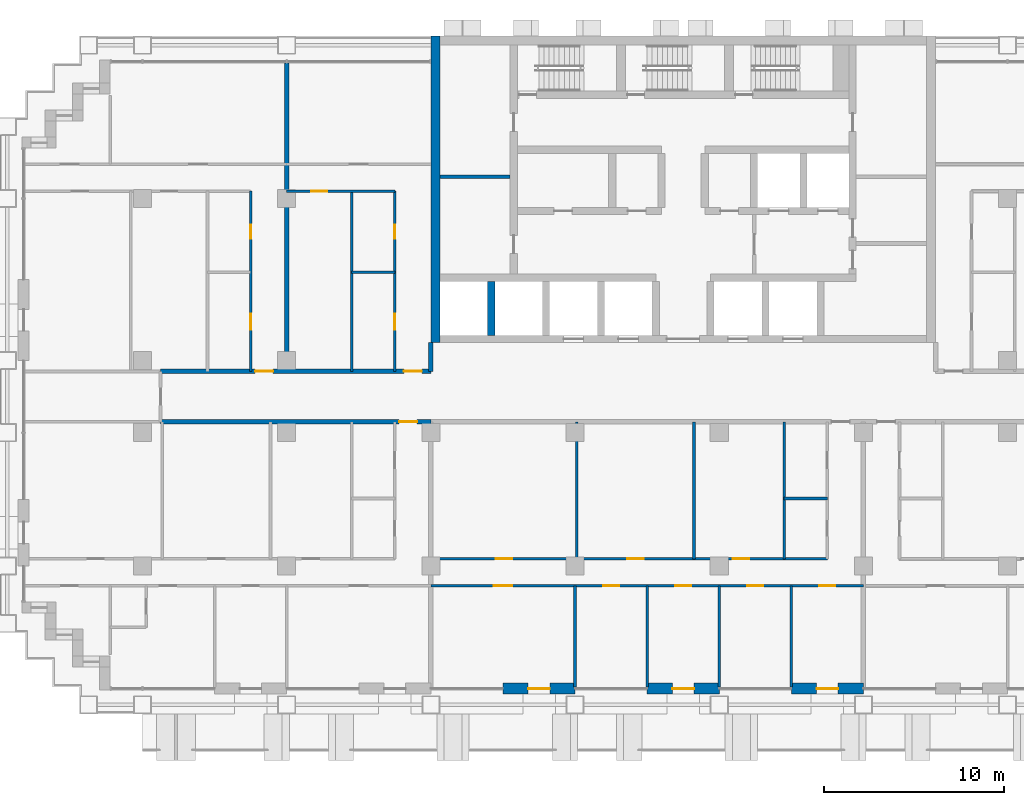
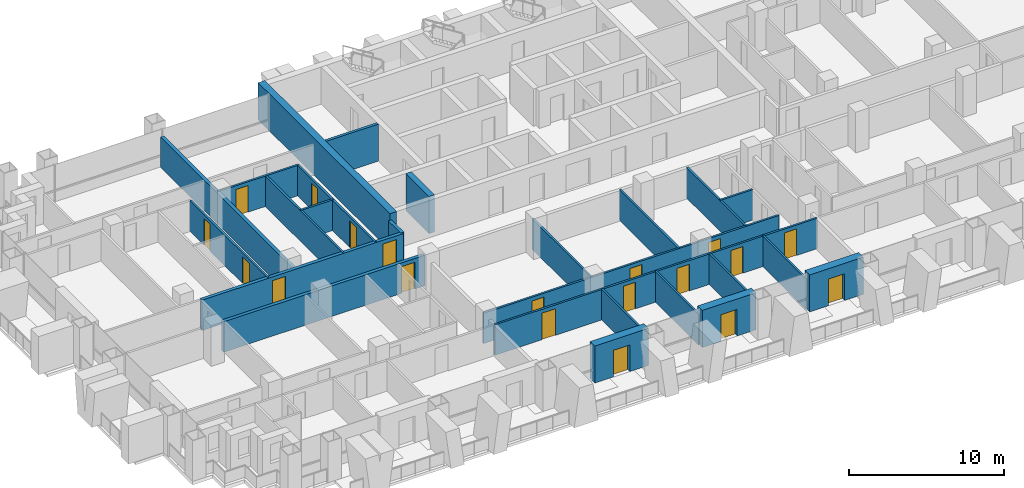
# One storey, part 10 of 18: 25 walls, 19 doors, 19 openings.
"""IFC4 building model written with IfcOpenShell, lengths in metres."""

from ifc_helpers import new_model, si_unit, direction, frame, frame_2d, origin, place, context, subcontext, project, spatial, rectangle, extrude, material, layer, layer_set, type_object, element, fill, save


model = new_model("IFC4")

# Units and contexts
model_context = context("Model", 3, precision=1e-05, world=origin(), true_north=direction((0.0, 1.0)))
body_context = subcontext(model_context, "Body", "Model", "MODEL_VIEW")
ifc_project = project(units=[si_unit("LENGTHUNIT", "METRE"), si_unit("AREAUNIT", "SQUARE_METRE"), si_unit("VOLUMEUNIT", "CUBIC_METRE"), si_unit("PLANEANGLEUNIT", "RADIAN"), si_unit("MASSUNIT", "GRAM", prefix="KILO")], contexts=[model_context])

# Site, building, storey
site_placement = place(None, origin())
site = spatial("IfcSite", under=ifc_project, at=site_placement, CompositionType="ELEMENT")
building_placement = place(site_placement, origin())
building = spatial("IfcBuilding", under=site, at=building_placement, Name="Vidyagriha Tower", CompositionType="ELEMENT")
storey_placement = place(building_placement, frame((0.0, 0.0, 54.39990234375)))
storey = spatial("IfcBuildingStorey", under=building, at=storey_placement, Name="L14", CompositionType="ELEMENT", Elevation=54.39990234375)

# Wall, opening, door
ifc_material_1 = material(Name="Precast concrete C40/50 with brick facing", Category="concrete")
ifc_layer_1 = layer(ifc_material_1, 0.60009765625)
ifc_layer_set_1 = layer_set([ifc_layer_1], Name="Precast concrete C40/50 with brick facing")
wall_type_1 = type_object("IfcWallType", Name="Brick-faced precast wall 600", PredefinedType="STANDARD", material=ifc_layer_set_1)
wall_1_placement = place(storey_placement, frame((-10.0, -16.199951171875, 0.0)))
wall_1 = element("IfcWall", 1, at=wall_1_placement, inside=storey, type_object=wall_type_1, Name="Brick door bay wall L14 R23.7", PredefinedType="STANDARD", context=body_context, shape_type="SweptSolid", body=[
    extrude(rectangle(XDim=4.0, YDim=0.60009765625, at=frame_2d((2.0, 0.0))), origin(), (0.0, 0.0, 1.0), 2.920166015625),
])
opening_1_placement = place(wall_1_placement, frame((1.39990234375, 0.0, 0.0)))
opening_1 = element("IfcOpeningElement", 2, at=opening_1_placement, cuts=wall_1, Name="Opening D14-75", PredefinedType="OPENING", context=body_context, shape_type="SweptSolid", body=[
    extrude(rectangle(XDim=1.199951171875, YDim=2.10009765625, at=frame_2d((0.60009765625, 1.050048828125))), frame((0.0, 0.31005859375, 0.0), z_axis=(0.0, -1.0, 0.0), x_axis=(1.0, 0.0, 0.0)), (0.0, 0.0, 1.0), 0.6201171875),
])
ifc_material_2 = material(Name="Aluminium framed glazed sliding door", Category="aluminium")
door_type_1 = type_object("IfcDoorType", Name="Balcony sliding door 1200x2100", OperationType="NOTDEFINED", PredefinedType="DOOR", material=ifc_material_2)
door_1_placement = place(opening_1_placement, origin())
door_1 = element("IfcDoor", 3, at=door_1_placement, inside=storey, type_object=door_type_1, Name="Door D14-75", OperationType="SLIDING_TO_LEFT", OverallHeight=2.10009765625, OverallWidth=1.199951171875, PredefinedType="DOOR", context=body_context, shape_type="SweptSolid", body=[
    extrude(rectangle(XDim=1.199951171875, YDim=2.10009765625, at=frame_2d((0.60009765625, 1.050048828125))), frame((0.0, 0.02490234375, 0.0), z_axis=(0.0, -1.0, 0.0), x_axis=(1.0, 0.0, 0.0)), (0.0, 0.0, 1.0), 0.050048828125),
])
fill(opening_1, door_1)

wall_2_placement = place(storey_placement, frame((-2.0, -16.199951171875, 0.0)))
wall_2 = element("IfcWall", 4, at=wall_2_placement, inside=storey, type_object=wall_type_1, Name="Brick door bay wall L14 R23.9", PredefinedType="STANDARD", context=body_context, shape_type="SweptSolid", body=[
    extrude(rectangle(XDim=4.0, YDim=0.60009765625, at=frame_2d((2.0, 0.0))), origin(), (0.0, 0.0, 1.0), 2.920166015625),
])
opening_2_placement = place(wall_2_placement, frame((1.39990234375, 0.0, 0.0)))
opening_2 = element("IfcOpeningElement", 5, at=opening_2_placement, cuts=wall_2, Name="Opening D14-76", PredefinedType="OPENING", context=body_context, shape_type="SweptSolid", body=[
    extrude(rectangle(XDim=1.199951171875, YDim=2.10009765625, at=frame_2d((0.60009765625, 1.050048828125))), frame((0.0, 0.31005859375, 0.0), z_axis=(0.0, -1.0, 0.0), x_axis=(1.0, 0.0, 0.0)), (0.0, 0.0, 1.0), 0.6201171875),
])
door_2_placement = place(opening_2_placement, origin())
door_2 = element("IfcDoor", 6, at=door_2_placement, inside=storey, type_object=door_type_1, Name="Door D14-76", OperationType="SLIDING_TO_LEFT", OverallHeight=2.10009765625, OverallWidth=1.199951171875, PredefinedType="DOOR", context=body_context, shape_type="SweptSolid", body=[
    extrude(rectangle(XDim=1.199951171875, YDim=2.10009765625, at=frame_2d((0.60009765625, 1.050048828125))), frame((0.0, 0.02490234375, 0.0), z_axis=(0.0, -1.0, 0.0), x_axis=(1.0, 0.0, 0.0)), (0.0, 0.0, 1.0), 0.050048828125),
])
fill(opening_2, door_2)

wall_3_placement = place(storey_placement, frame((6.0, -16.199951171875, 0.0)))
wall_3 = element("IfcWall", 7, at=wall_3_placement, inside=storey, type_object=wall_type_1, Name="Brick door bay wall L14 R23.11", PredefinedType="STANDARD", context=body_context, shape_type="SweptSolid", body=[
    extrude(rectangle(XDim=4.0, YDim=0.60009765625, at=frame_2d((2.0, 0.0))), origin(), (0.0, 0.0, 1.0), 2.920166015625),
])
opening_3_placement = place(wall_3_placement, frame((1.39990234375, 0.0, 0.0)))
opening_3 = element("IfcOpeningElement", 8, at=opening_3_placement, cuts=wall_3, Name="Opening D14-77", PredefinedType="OPENING", context=body_context, shape_type="SweptSolid", body=[
    extrude(rectangle(XDim=1.199951171875, YDim=2.10009765625, at=frame_2d((0.60009765625, 1.050048828125))), frame((0.0, 0.31005859375, 0.0), z_axis=(0.0, -1.0, 0.0), x_axis=(1.0, 0.0, 0.0)), (0.0, 0.0, 1.0), 0.6201171875),
])
door_3_placement = place(opening_3_placement, origin())
door_3 = element("IfcDoor", 9, at=door_3_placement, inside=storey, type_object=door_type_1, Name="Door D14-77", OperationType="SLIDING_TO_LEFT", OverallHeight=2.10009765625, OverallWidth=1.199951171875, PredefinedType="DOOR", context=body_context, shape_type="SweptSolid", body=[
    extrude(rectangle(XDim=1.199951171875, YDim=2.10009765625, at=frame_2d((0.60009765625, 1.050048828125))), frame((0.0, 0.02490234375, 0.0), z_axis=(0.0, -1.0, 0.0), x_axis=(1.0, 0.0, 0.0)), (0.0, 0.0, 1.0), 0.050048828125),
])
fill(opening_3, door_3)

# Walls
ifc_material_3 = material(Name="Concrete C60/75", Category="concrete")
ifc_layer_2 = layer(ifc_material_3, 0.39990234375)
ifc_layer_set_2 = layer_set([ifc_layer_2], Name="Concrete C60/75")
wall_type_2 = type_object("IfcWallType", Name="Core shear wall 400 mm", PredefinedType="SHEAR", material=ifc_layer_set_2)
wall_4_placement = place(storey_placement, frame((-10.655517578125, 3.39990234375, 0.0), z_axis=(0.0, 0.0, 1.0), x_axis=(0.0, 1.0, 0.0)))
element("IfcWall", 10, at=wall_4_placement, inside=storey, type_object=wall_type_2, Name="Core bay wall S1", PredefinedType="SHEAR", context=body_context, shape_type="SweptSolid", body=[
    extrude(rectangle(XDim=3.0, YDim=0.39990234375, at=frame_2d((1.5, 0.0))), origin(), (0.0, 0.0, 1.0), 2.920166015625),
])
ifc_material_4 = material(Name="Concrete C60/75", Category="concrete")
ifc_layer_3 = layer(ifc_material_4, 0.5)
ifc_layer_set_3 = layer_set([ifc_layer_3], Name="Concrete C60/75")
wall_type_3 = type_object("IfcWallType", Name="Core shear wall 500 mm", PredefinedType="SHEAR", material=ifc_layer_set_3)
wall_5_placement = place(storey_placement, frame((-13.75, 3.0, 0.0), z_axis=(0.0, 0.0, 1.0), x_axis=(0.0, 1.0, 0.0)))
element("IfcWall", 11, at=wall_5_placement, inside=storey, type_object=wall_type_3, Name="Core west wall", PredefinedType="SHEAR", context=body_context, shape_type="SweptSolid", body=[
    extrude(rectangle(XDim=17.0, YDim=0.5, at=frame_2d((8.5, 0.0))), origin(), (0.0, 0.0, 1.0), 2.920166015625),
])

# Wall, opening, door
ifc_material_5 = material(Name="Fired clay brick masonry", Category="masonry")
ifc_layer_4 = layer(ifc_material_5, 0.25)
ifc_layer_set_4 = layer_set([ifc_layer_4], Name="Fired clay brick masonry")
wall_type_4 = type_object("IfcWallType", Name="Fired clay brick corridor wall 250", PredefinedType="PARTITIONING", material=ifc_layer_set_4)
wall_6_placement = place(storey_placement, frame((-14.0, -1.39990234375, 0.0), z_axis=(0.0, 0.0, 1.0), x_axis=(-1.0, 0.0, 0.0)))
wall_6 = element("IfcWall", 12, at=wall_6_placement, inside=storey, type_object=wall_type_4, Name="Wall all-L14-w073", PredefinedType="PARTITIONING", context=body_context, shape_type="SweptSolid", body=[
    extrude(rectangle(XDim=15.0, YDim=0.25, at=frame_2d((7.5, 0.0))), origin(), (0.0, 0.0, 1.0), 2.400146484375),
])
opening_4_placement = place(wall_6_placement, frame((0.760009765625, 0.0, 0.0)))
opening_4 = element("IfcOpeningElement", 13, at=opening_4_placement, cuts=wall_6, Name="Opening D14-24", PredefinedType="OPENING", context=body_context, shape_type="SweptSolid", body=[
    extrude(rectangle(XDim=1.0, YDim=2.10009765625, at=frame_2d((0.5, 1.050048828125))), frame((0.0, 0.135009765625, 0.0), z_axis=(0.0, -1.0, 0.0), x_axis=(1.0, 0.0, 0.0)), (0.0, 0.0, 1.0), 0.27001953125),
])
ifc_material_6 = material(Name="Fire-rated timber door leaf EI 60", Category="wood")
door_type_2 = type_object("IfcDoorType", Name="Flat entrance fire door 1000x2100", OperationType="NOTDEFINED", PredefinedType="DOOR", material=ifc_material_6)
door_4_placement = place(opening_4_placement, origin())
door_4 = element("IfcDoor", 14, at=door_4_placement, inside=storey, type_object=door_type_2, Name="Door D14-24", OperationType="SINGLE_SWING_LEFT", OverallHeight=2.10009765625, OverallWidth=1.0, PredefinedType="DOOR", context=body_context, shape_type="SweptSolid", body=[
    extrude(rectangle(XDim=1.0, YDim=2.10009765625, at=frame_2d((0.5, 1.050048828125))), frame((0.0, 0.02490234375, 0.0), z_axis=(0.0, -1.0, 0.0), x_axis=(1.0, 0.0, 0.0)), (0.0, 0.0, 1.0), 0.050048828125),
])
fill(opening_4, door_4)

# Wall, openings, doors
wall_7_placement = place(storey_placement, frame((-29.0, 1.39990234375, 0.0)))
wall_7 = element("IfcWall", 15, at=wall_7_placement, inside=storey, type_object=wall_type_4, Name="Wall all-L14-w102", PredefinedType="PARTITIONING", context=body_context, shape_type="SweptSolid", body=[
    extrude(rectangle(XDim=15.0, YDim=0.25, at=frame_2d((7.5, 0.0))), origin(), (0.0, 0.0, 1.0), 2.400146484375),
])
opening_5_placement = place(wall_7_placement, frame((5.239990234375, 0.0, 0.0)))
opening_5 = element("IfcOpeningElement", 16, at=opening_5_placement, cuts=wall_7, Name="Opening D14-54", PredefinedType="OPENING", context=body_context, shape_type="SweptSolid", body=[
    extrude(rectangle(XDim=1.0, YDim=2.10009765625, at=frame_2d((0.5, 1.050048828125))), frame((0.0, 0.135009765625, 0.0), z_axis=(0.0, -1.0, 0.0), x_axis=(1.0, 0.0, 0.0)), (0.0, 0.0, 1.0), 0.27001953125),
])
opening_6_placement = place(wall_7_placement, frame((13.5, 0.0, 0.0)))
opening_6 = element("IfcOpeningElement", 17, at=opening_6_placement, cuts=wall_7, Name="Opening D14-59", PredefinedType="OPENING", context=body_context, shape_type="SweptSolid", body=[
    extrude(rectangle(XDim=1.0, YDim=2.10009765625, at=frame_2d((0.5, 1.050048828125))), frame((0.0, 0.135009765625, 0.0), z_axis=(0.0, -1.0, 0.0), x_axis=(1.0, 0.0, 0.0)), (0.0, 0.0, 1.0), 0.27001953125),
])
door_5_placement = place(opening_5_placement, origin())
door_5 = element("IfcDoor", 18, at=door_5_placement, inside=storey, type_object=door_type_2, Name="Door D14-54", OperationType="SINGLE_SWING_RIGHT", OverallHeight=2.10009765625, OverallWidth=1.0, PredefinedType="DOOR", context=body_context, shape_type="SweptSolid", body=[
    extrude(rectangle(XDim=1.0, YDim=2.10009765625, at=frame_2d((0.5, 1.050048828125))), frame((0.0, 0.02490234375, 0.0), z_axis=(0.0, -1.0, 0.0), x_axis=(1.0, 0.0, 0.0)), (0.0, 0.0, 1.0), 0.050048828125),
])
fill(opening_5, door_5)
door_6_placement = place(opening_6_placement, origin())
door_6 = element("IfcDoor", 19, at=door_6_placement, inside=storey, type_object=door_type_2, Name="Door D14-59", OperationType="SINGLE_SWING_RIGHT", OverallHeight=2.10009765625, OverallWidth=1.0, PredefinedType="DOOR", context=body_context, shape_type="SweptSolid", body=[
    extrude(rectangle(XDim=1.0, YDim=2.10009765625, at=frame_2d((0.5, 1.050048828125))), frame((0.0, 0.02490234375, 0.0), z_axis=(0.0, -1.0, 0.0), x_axis=(1.0, 0.0, 0.0)), (0.0, 0.0, 1.0), 0.050048828125),
])
fill(opening_6, door_6)

# Walls
wall_8_placement = place(storey_placement, frame((-14.0, 3.0, 0.0), z_axis=(0.0, 0.0, 1.0), x_axis=(0.0, -1.0, 0.0)))
element("IfcWall", 20, at=wall_8_placement, inside=storey, type_object=wall_type_4, Name="Wall all-L14-w129", PredefinedType="PARTITIONING", context=body_context, shape_type="SweptSolid", body=[
    extrude(rectangle(XDim=1.60009765625, YDim=0.25, at=frame_2d((0.800048828125, 0.0))), origin(), (0.0, 0.0, 1.0), 2.400146484375),
])
ifc_material_7 = material(Name="Fired clay brick masonry", Category="masonry")
ifc_layer_5 = layer(ifc_material_7, 0.25)
ifc_layer_set_5 = layer_set([ifc_layer_5], Name="Fired clay brick masonry")
wall_type_5 = type_object("IfcWallType", Name="Fired clay brick demising wall 250", PredefinedType="PARTITIONING", material=ifc_layer_set_5)
wall_9_placement = place(storey_placement, frame((-22.0, 18.52099609375, 0.0), z_axis=(0.0, 0.0, 1.0), x_axis=(0.0, -1.0, 0.0)))
element("IfcWall", 21, at=wall_9_placement, inside=storey, type_object=wall_type_5, Name="Wall all-L14-w101", PredefinedType="PARTITIONING", context=body_context, shape_type="SweptSolid", body=[
    extrude(rectangle(XDim=17.12109375, YDim=0.25, at=frame_2d((8.560546875, 0.0))), origin(), (0.0, 0.0, 1.0), 2.400146484375),
])
ifc_material_8 = material(Name="Gypsum board partition")
ifc_layer_6 = layer(ifc_material_8, 0.14990234375)
ifc_layer_set_6 = layer_set([ifc_layer_6], Name="Gypsum board partition")
wall_type_6 = type_object("IfcWallType", Name="Gypsum board partition 150", PredefinedType="PARTITIONING", material=ifc_layer_set_6)
wall_10_placement = place(storey_placement, frame((8.0, -5.64990234375, 0.0), z_axis=(0.0, 0.0, 1.0), x_axis=(-1.0, 0.0, 0.0)))
element("IfcWall", 22, at=wall_10_placement, inside=storey, type_object=wall_type_6, Name="Wall all-L14-w027", PredefinedType="PARTITIONING", context=body_context, shape_type="SweptSolid", body=[
    extrude(rectangle(XDim=2.39990234375, YDim=0.14990234375, at=frame_2d((1.199951171875, 0.0))), origin(), (0.0, 0.0, 1.0), 2.400146484375),
])
for number, where, z_axis, x_axis, name in (
    (23, (5.60009765625, -9.0, 0.0), (0.0, 0.0, 1.0), (0.0, 1.0, 0.0), "Wall all-L14-w028"),
    (24, (0.60009765625, -9.0, 0.0), (0.0, 0.0, 1.0), (0.0, 1.0, 0.0), "Wall all-L14-w029"),
    (25, (-5.89990234375, -9.0, 0.0), (0.0, 0.0, 1.0), (0.0, 1.0, 0.0), "Wall all-L14-w030"),
):
    element("IfcWall", number, at=place(storey_placement, frame(where, z_axis=z_axis, x_axis=x_axis)), inside=storey, type_object=wall_type_6, Name=name, PredefinedType="PARTITIONING", context=body_context, shape_type="SweptSolid", body=[
        extrude(rectangle(XDim=7.60009765625, YDim=0.14990234375, at=frame_2d((3.800048828125, 0.0))), origin(), (0.0, 0.0, 1.0), 2.400146484375),
    ])

# Wall, openings, doors
wall_11_placement = place(storey_placement, frame((-14.0, -9.0, 0.0)))
wall_11 = element("IfcWall", 26, at=wall_11_placement, inside=storey, type_object=wall_type_6, Name="Wall all-L14-w031", PredefinedType="PARTITIONING", context=body_context, shape_type="SweptSolid", body=[
    extrude(rectangle(XDim=22.0, YDim=0.14990234375, at=frame_2d((11.0, 0.0))), origin(), (0.0, 0.0, 1.0), 2.400146484375),
])
opening_7_placement = place(wall_11_placement, frame((16.760009765625, 0.0, 0.0)))
opening_7 = element("IfcOpeningElement", 27, at=opening_7_placement, cuts=wall_11, Name="Opening D14-27", PredefinedType="OPENING", context=body_context, shape_type="SweptSolid", body=[
    extrude(rectangle(XDim=0.89990234375, YDim=2.10009765625, at=frame_2d((0.449951171875, 1.050048828125))), frame((0.0, 0.0849609375, 0.0), z_axis=(0.0, -1.0, 0.0), x_axis=(1.0, 0.0, 0.0)), (0.0, 0.0, 1.0), 0.169921875),
])
opening_8_placement = place(wall_11_placement, frame((10.89990234375, 0.0, 0.0)))
opening_8 = element("IfcOpeningElement", 28, at=opening_8_placement, cuts=wall_11, Name="Opening D14-28", PredefinedType="OPENING", context=body_context, shape_type="SweptSolid", body=[
    extrude(rectangle(XDim=0.89990234375, YDim=2.10009765625, at=frame_2d((0.449951171875, 1.050048828125))), frame((0.0, 0.0849609375, 0.0), z_axis=(0.0, -1.0, 0.0), x_axis=(1.0, 0.0, 0.0)), (0.0, 0.0, 1.0), 0.169921875),
])
opening_9_placement = place(wall_11_placement, frame((3.60009765625, 0.0, 0.0)))
opening_9 = element("IfcOpeningElement", 29, at=opening_9_placement, cuts=wall_11, Name="Opening D14-29", PredefinedType="OPENING", context=body_context, shape_type="SweptSolid", body=[
    extrude(rectangle(XDim=0.89990234375, YDim=2.10009765625, at=frame_2d((0.449951171875, 1.050048828125))), frame((0.0, 0.0849609375, 0.0), z_axis=(0.0, -1.0, 0.0), x_axis=(1.0, 0.0, 0.0)), (0.0, 0.0, 1.0), 0.169921875),
])
ifc_material_9 = material(Name="Timber door leaf", Category="wood")
door_type_3 = type_object("IfcDoorType", Name="Room door 900x2100", OperationType="NOTDEFINED", PredefinedType="DOOR", material=ifc_material_9)
door_7_placement = place(opening_7_placement, origin())
door_7 = element("IfcDoor", 30, at=door_7_placement, inside=storey, type_object=door_type_3, Name="Door D14-27", OperationType="SINGLE_SWING_RIGHT", OverallHeight=2.10009765625, OverallWidth=0.89990234375, PredefinedType="DOOR", context=body_context, shape_type="SweptSolid", body=[
    extrude(rectangle(XDim=0.89990234375, YDim=2.10009765625, at=frame_2d((0.449951171875, 1.050048828125))), frame((0.0, 0.02490234375, 0.0), z_axis=(0.0, -1.0, 0.0), x_axis=(1.0, 0.0, 0.0)), (0.0, 0.0, 1.0), 0.050048828125),
])
fill(opening_7, door_7)
door_8_placement = place(opening_8_placement, origin())
door_8 = element("IfcDoor", 31, at=door_8_placement, inside=storey, type_object=door_type_3, Name="Door D14-28", OperationType="SINGLE_SWING_LEFT", OverallHeight=2.10009765625, OverallWidth=0.89990234375, PredefinedType="DOOR", context=body_context, shape_type="SweptSolid", body=[
    extrude(rectangle(XDim=0.89990234375, YDim=2.10009765625, at=frame_2d((0.449951171875, 1.050048828125))), frame((0.0, 0.02490234375, 0.0), z_axis=(0.0, -1.0, 0.0), x_axis=(1.0, 0.0, 0.0)), (0.0, 0.0, 1.0), 0.050048828125),
])
fill(opening_8, door_8)
door_9_placement = place(opening_9_placement, origin())
door_9 = element("IfcDoor", 32, at=door_9_placement, inside=storey, type_object=door_type_3, Name="Door D14-29", OperationType="SINGLE_SWING_RIGHT", OverallHeight=2.10009765625, OverallWidth=0.89990234375, PredefinedType="DOOR", context=body_context, shape_type="SweptSolid", body=[
    extrude(rectangle(XDim=0.89990234375, YDim=2.10009765625, at=frame_2d((0.449951171875, 1.050048828125))), frame((0.0, 0.02490234375, 0.0), z_axis=(0.0, -1.0, 0.0), x_axis=(1.0, 0.0, 0.0)), (0.0, 0.0, 1.0), 0.050048828125),
])
fill(opening_9, door_9)

wall_12_placement = place(storey_placement, frame((10.0, -10.5, 0.0), z_axis=(0.0, 0.0, 1.0), x_axis=(-1.0, 0.0, 0.0)))
wall_12 = element("IfcWall", 33, at=wall_12_placement, inside=storey, type_object=wall_type_6, Name="Wall all-L14-w035", PredefinedType="PARTITIONING", context=body_context, shape_type="SweptSolid", body=[
    extrude(rectangle(XDim=24.0, YDim=0.14990234375, at=frame_2d((12.0, 0.0))), origin(), (0.0, 0.0, 1.0), 2.400146484375),
])
opening_10_placement = place(wall_12_placement, frame((19.5, 0.0, 0.0)))
opening_10 = element("IfcOpeningElement", 34, at=opening_10_placement, cuts=wall_12, Name="Opening D14-30", PredefinedType="OPENING", context=body_context, shape_type="SweptSolid", body=[
    extrude(rectangle(XDim=1.0, YDim=2.10009765625, at=frame_2d((0.5, 1.050048828125))), frame((0.0, 0.0849609375, 0.0), z_axis=(0.0, -1.0, 0.0), x_axis=(1.0, 0.0, 0.0)), (0.0, 0.0, 1.0), 0.169921875),
])
opening_11_placement = place(wall_12_placement, frame((13.550048828125, 0.0, 0.0)))
opening_11 = element("IfcOpeningElement", 35, at=opening_11_placement, cuts=wall_12, Name="Opening D14-31", PredefinedType="OPENING", context=body_context, shape_type="SweptSolid", body=[
    extrude(rectangle(XDim=0.89990234375, YDim=2.10009765625, at=frame_2d((0.449951171875, 1.050048828125))), frame((0.0, 0.0849609375, 0.0), z_axis=(0.0, -1.0, 0.0), x_axis=(1.0, 0.0, 0.0)), (0.0, 0.0, 1.0), 0.169921875),
])
opening_12_placement = place(wall_12_placement, frame((9.550048828125, 0.0, 0.0)))
opening_12 = element("IfcOpeningElement", 36, at=opening_12_placement, cuts=wall_12, Name="Opening D14-32", PredefinedType="OPENING", context=body_context, shape_type="SweptSolid", body=[
    extrude(rectangle(XDim=0.89990234375, YDim=2.10009765625, at=frame_2d((0.449951171875, 1.050048828125))), frame((0.0, 0.0849609375, 0.0), z_axis=(0.0, -1.0, 0.0), x_axis=(1.0, 0.0, 0.0)), (0.0, 0.0, 1.0), 0.169921875),
])
opening_13_placement = place(wall_12_placement, frame((5.550048828125, 0.0, 0.0)))
opening_13 = element("IfcOpeningElement", 37, at=opening_13_placement, cuts=wall_12, Name="Opening D14-33", PredefinedType="OPENING", context=body_context, shape_type="SweptSolid", body=[
    extrude(rectangle(XDim=0.89990234375, YDim=2.10009765625, at=frame_2d((0.449951171875, 1.050048828125))), frame((0.0, 0.0849609375, 0.0), z_axis=(0.0, -1.0, 0.0), x_axis=(1.0, 0.0, 0.0)), (0.0, 0.0, 1.0), 0.169921875),
])
opening_14_placement = place(wall_12_placement, frame((1.550048828125, 0.0, 0.0)))
opening_14 = element("IfcOpeningElement", 38, at=opening_14_placement, cuts=wall_12, Name="Opening D14-34", PredefinedType="OPENING", context=body_context, shape_type="SweptSolid", body=[
    extrude(rectangle(XDim=0.89990234375, YDim=2.10009765625, at=frame_2d((0.449951171875, 1.050048828125))), frame((0.0, 0.0849609375, 0.0), z_axis=(0.0, -1.0, 0.0), x_axis=(1.0, 0.0, 0.0)), (0.0, 0.0, 1.0), 0.169921875),
])
ifc_material_10 = material(Name="Timber door leaf", Category="wood")
door_type_4 = type_object("IfcDoorType", Name="Room door 1000x2100", OperationType="NOTDEFINED", PredefinedType="DOOR", material=ifc_material_10)
door_10_placement = place(opening_10_placement, origin())
door_10 = element("IfcDoor", 39, at=door_10_placement, inside=storey, type_object=door_type_4, Name="Door D14-30", OperationType="SINGLE_SWING_RIGHT", OverallHeight=2.10009765625, OverallWidth=1.0, PredefinedType="DOOR", context=body_context, shape_type="SweptSolid", body=[
    extrude(rectangle(XDim=1.0, YDim=2.10009765625, at=frame_2d((0.5, 1.050048828125))), frame((0.0, 0.02490234375, 0.0), z_axis=(0.0, -1.0, 0.0), x_axis=(1.0, 0.0, 0.0)), (0.0, 0.0, 1.0), 0.050048828125),
])
fill(opening_10, door_10)
door_11_placement = place(opening_11_placement, origin())
door_11 = element("IfcDoor", 40, at=door_11_placement, inside=storey, type_object=door_type_3, Name="Door D14-31", OperationType="SINGLE_SWING_RIGHT", OverallHeight=2.10009765625, OverallWidth=0.89990234375, PredefinedType="DOOR", context=body_context, shape_type="SweptSolid", body=[
    extrude(rectangle(XDim=0.89990234375, YDim=2.10009765625, at=frame_2d((0.449951171875, 1.050048828125))), frame((0.0, 0.02490234375, 0.0), z_axis=(0.0, -1.0, 0.0), x_axis=(1.0, 0.0, 0.0)), (0.0, 0.0, 1.0), 0.050048828125),
])
fill(opening_11, door_11)
door_12_placement = place(opening_12_placement, origin())
door_12 = element("IfcDoor", 41, at=door_12_placement, inside=storey, type_object=door_type_3, Name="Door D14-32", OperationType="SINGLE_SWING_RIGHT", OverallHeight=2.10009765625, OverallWidth=0.89990234375, PredefinedType="DOOR", context=body_context, shape_type="SweptSolid", body=[
    extrude(rectangle(XDim=0.89990234375, YDim=2.10009765625, at=frame_2d((0.449951171875, 1.050048828125))), frame((0.0, 0.02490234375, 0.0), z_axis=(0.0, -1.0, 0.0), x_axis=(1.0, 0.0, 0.0)), (0.0, 0.0, 1.0), 0.050048828125),
])
fill(opening_12, door_12)
door_13_placement = place(opening_13_placement, origin())
door_13 = element("IfcDoor", 42, at=door_13_placement, inside=storey, type_object=door_type_3, Name="Door D14-33", OperationType="SINGLE_SWING_RIGHT", OverallHeight=2.10009765625, OverallWidth=0.89990234375, PredefinedType="DOOR", context=body_context, shape_type="SweptSolid", body=[
    extrude(rectangle(XDim=0.89990234375, YDim=2.10009765625, at=frame_2d((0.449951171875, 1.050048828125))), frame((0.0, 0.02490234375, 0.0), z_axis=(0.0, -1.0, 0.0), x_axis=(1.0, 0.0, 0.0)), (0.0, 0.0, 1.0), 0.050048828125),
])
fill(opening_13, door_13)
door_14_placement = place(opening_14_placement, origin())
door_14 = element("IfcDoor", 43, at=door_14_placement, inside=storey, type_object=door_type_3, Name="Door D14-34", OperationType="SINGLE_SWING_RIGHT", OverallHeight=2.10009765625, OverallWidth=0.89990234375, PredefinedType="DOOR", context=body_context, shape_type="SweptSolid", body=[
    extrude(rectangle(XDim=0.89990234375, YDim=2.10009765625, at=frame_2d((0.449951171875, 1.050048828125))), frame((0.0, 0.02490234375, 0.0), z_axis=(0.0, -1.0, 0.0), x_axis=(1.0, 0.0, 0.0)), (0.0, 0.0, 1.0), 0.050048828125),
])
fill(opening_14, door_14)

# Walls
wall_13_placement = place(storey_placement, frame((-6.0, -10.5, 0.0), z_axis=(0.0, 0.0, 1.0), x_axis=(0.0, -1.0, 0.0)))
element("IfcWall", 44, at=wall_13_placement, inside=storey, type_object=wall_type_6, Name="Wall all-L14-w041", PredefinedType="PARTITIONING", context=body_context, shape_type="SweptSolid", body=[
    extrude(rectangle(XDim=5.610107421875, YDim=0.14990234375, at=frame_2d((2.80517578125, 0.0))), origin(), (0.0, 0.0, 1.0), 2.400146484375),
])
wall_14_placement = place(storey_placement, frame((-2.0, -10.5, 0.0), z_axis=(0.0, 0.0, 1.0), x_axis=(0.0, -1.0, 0.0)))
element("IfcWall", 45, at=wall_14_placement, inside=storey, type_object=wall_type_6, Name="Wall all-L14-w042", PredefinedType="PARTITIONING", context=body_context, shape_type="SweptSolid", body=[
    extrude(rectangle(XDim=5.62109375, YDim=0.14990234375, at=frame_2d((2.810546875, 0.0))), origin(), (0.0, 0.0, 1.0), 2.400146484375),
])
wall_15_placement = place(storey_placement, frame((2.0, -10.5, 0.0), z_axis=(0.0, 0.0, 1.0), x_axis=(0.0, -1.0, 0.0)))
element("IfcWall", 46, at=wall_15_placement, inside=storey, type_object=wall_type_6, Name="Wall all-L14-w043", PredefinedType="PARTITIONING", context=body_context, shape_type="SweptSolid", body=[
    extrude(rectangle(XDim=5.610107421875, YDim=0.14990234375, at=frame_2d((2.80517578125, 0.0))), origin(), (0.0, 0.0, 1.0), 2.400146484375),
])
wall_16_placement = place(storey_placement, frame((6.0, -10.5, 0.0), z_axis=(0.0, 0.0, 1.0), x_axis=(0.0, -1.0, 0.0)))
element("IfcWall", 47, at=wall_16_placement, inside=storey, type_object=wall_type_6, Name="Wall all-L14-w044", PredefinedType="PARTITIONING", context=body_context, shape_type="SweptSolid", body=[
    extrude(rectangle(XDim=5.62109375, YDim=0.14990234375, at=frame_2d((2.810546875, 0.0))), origin(), (0.0, 0.0, 1.0), 2.400146484375),
])
wall_17_placement = place(storey_placement, frame((-18.39990234375, 6.89990234375, 0.0)))
element("IfcWall", 48, at=wall_17_placement, inside=storey, type_object=wall_type_6, Name="Wall all-L14-w094", PredefinedType="PARTITIONING", context=body_context, shape_type="SweptSolid", body=[
    extrude(rectangle(XDim=2.39990234375, YDim=0.14990234375, at=frame_2d((1.199951171875, 0.0))), origin(), (0.0, 0.0, 1.0), 2.400146484375),
])
wall_18_placement = place(storey_placement, frame((-18.39990234375, 1.39990234375, 0.0), z_axis=(0.0, 0.0, 1.0), x_axis=(0.0, 1.0, 0.0)))
element("IfcWall", 49, at=wall_18_placement, inside=storey, type_object=wall_type_6, Name="Wall all-L14-w095", PredefinedType="PARTITIONING", context=body_context, shape_type="SweptSolid", body=[
    extrude(rectangle(XDim=10.0, YDim=0.14990234375, at=frame_2d((5.0, 0.0))), origin(), (0.0, 0.0, 1.0), 2.400146484375),
])

# Wall, opening, door
wall_19_placement = place(storey_placement, frame((-16.0, 11.39990234375, 0.0), z_axis=(0.0, 0.0, 1.0), x_axis=(-1.0, 0.0, 0.0)))
wall_19 = element("IfcWall", 50, at=wall_19_placement, inside=storey, type_object=wall_type_6, Name="Wall all-L14-w096", PredefinedType="PARTITIONING", context=body_context, shape_type="SweptSolid", body=[
    extrude(rectangle(XDim=6.0, YDim=0.14990234375, at=frame_2d((3.0, 0.0))), origin(), (0.0, 0.0, 1.0), 2.400146484375),
])
opening_15_placement = place(wall_19_placement, frame((3.75, 0.0, 0.0)))
opening_15 = element("IfcOpeningElement", 51, at=opening_15_placement, cuts=wall_19, Name="Opening D14-57", PredefinedType="OPENING", context=body_context, shape_type="SweptSolid", body=[
    extrude(rectangle(XDim=0.89990234375, YDim=2.10009765625, at=frame_2d((0.449951171875, 1.050048828125))), frame((0.0, 0.0849609375, 0.0), z_axis=(0.0, -1.0, 0.0), x_axis=(1.0, 0.0, 0.0)), (0.0, 0.0, 1.0), 0.169921875),
])
door_15_placement = place(opening_15_placement, origin())
door_15 = element("IfcDoor", 52, at=door_15_placement, inside=storey, type_object=door_type_3, Name="Door D14-57", OperationType="SINGLE_SWING_RIGHT", OverallHeight=2.10009765625, OverallWidth=0.89990234375, PredefinedType="DOOR", context=body_context, shape_type="SweptSolid", body=[
    extrude(rectangle(XDim=0.89990234375, YDim=2.10009765625, at=frame_2d((0.449951171875, 1.050048828125))), frame((0.0, 0.02490234375, 0.0), z_axis=(0.0, -1.0, 0.0), x_axis=(1.0, 0.0, 0.0)), (0.0, 0.0, 1.0), 0.050048828125),
])
fill(opening_15, door_15)

# Wall, openings, doors
ifc_material_11 = material(Name="Moisture resistant gypsum board partition")
ifc_layer_7 = layer(ifc_material_11, 0.14990234375)
ifc_layer_set_7 = layer_set([ifc_layer_7], Name="Moisture resistant gypsum board partition")
wall_type_7 = type_object("IfcWallType", Name="Gypsum board wet-area partition 150", PredefinedType="PARTITIONING", material=ifc_layer_set_7)
wall_20_placement = place(storey_placement, frame((-24.0, 1.39990234375, 0.0), z_axis=(0.0, 0.0, 1.0), x_axis=(0.0, 1.0, 0.0)))
wall_20 = element("IfcWall", 53, at=wall_20_placement, inside=storey, type_object=wall_type_7, Name="Wall all-L14-w077", PredefinedType="PARTITIONING", context=body_context, shape_type="SweptSolid", body=[
    extrude(rectangle(XDim=10.0, YDim=0.14990234375, at=frame_2d((5.0, 0.0))), origin(), (0.0, 0.0, 1.0), 2.400146484375),
])
opening_16_placement = place(wall_20_placement, frame((2.300048828125, 0.0, 0.0)))
opening_16 = element("IfcOpeningElement", 54, at=opening_16_placement, cuts=wall_20, Name="Opening D14-48", PredefinedType="OPENING", context=body_context, shape_type="SweptSolid", body=[
    extrude(rectangle(XDim=0.89990234375, YDim=2.10009765625, at=frame_2d((0.449951171875, 1.050048828125))), frame((0.0, 0.0849609375, 0.0), z_axis=(0.0, -1.0, 0.0), x_axis=(1.0, 0.0, 0.0)), (0.0, 0.0, 1.0), 0.169921875),
])
opening_17_placement = place(wall_20_placement, frame((7.35009765625, 0.0, 0.0)))
opening_17 = element("IfcOpeningElement", 55, at=opening_17_placement, cuts=wall_20, Name="Opening D14-49", PredefinedType="OPENING", context=body_context, shape_type="SweptSolid", body=[
    extrude(rectangle(XDim=0.800048828125, YDim=2.10009765625, at=frame_2d((0.39990234375, 1.050048828125))), frame((0.0, 0.0849609375, 0.0), z_axis=(0.0, -1.0, 0.0), x_axis=(1.0, 0.0, 0.0)), (0.0, 0.0, 1.0), 0.169921875),
])
ifc_material_12 = material(Name="Timber door leaf", Category="wood")
door_type_5 = type_object("IfcDoorType", Name="Bathroom door 800x2100", OperationType="NOTDEFINED", PredefinedType="DOOR", material=ifc_material_12)
door_16_placement = place(opening_17_placement, origin())
door_16 = element("IfcDoor", 56, at=door_16_placement, inside=storey, type_object=door_type_5, Name="Door D14-49", OperationType="SINGLE_SWING_RIGHT", OverallHeight=2.10009765625, OverallWidth=0.800048828125, PredefinedType="DOOR", context=body_context, shape_type="SweptSolid", body=[
    extrude(rectangle(XDim=0.800048828125, YDim=2.10009765625, at=frame_2d((0.39990234375, 1.050048828125))), frame((0.0, 0.02490234375, 0.0), z_axis=(0.0, -1.0, 0.0), x_axis=(1.0, 0.0, 0.0)), (0.0, 0.0, 1.0), 0.050048828125),
])
fill(opening_17, door_16)
ifc_material_13 = material(Name="Timber door leaf", Category="wood")
door_type_6 = type_object("IfcDoorType", Name="Kitchen door 900x2100", OperationType="NOTDEFINED", PredefinedType="DOOR", material=ifc_material_13)
door_17_placement = place(opening_16_placement, origin())
door_17 = element("IfcDoor", 57, at=door_17_placement, inside=storey, type_object=door_type_6, Name="Door D14-48", OperationType="SINGLE_SWING_RIGHT", OverallHeight=2.10009765625, OverallWidth=0.89990234375, PredefinedType="DOOR", context=body_context, shape_type="SweptSolid", body=[
    extrude(rectangle(XDim=0.89990234375, YDim=2.10009765625, at=frame_2d((0.449951171875, 1.050048828125))), frame((0.0, 0.02490234375, 0.0), z_axis=(0.0, -1.0, 0.0), x_axis=(1.0, 0.0, 0.0)), (0.0, 0.0, 1.0), 0.050048828125),
])
fill(opening_16, door_17)

wall_21_placement = place(storey_placement, frame((-16.0, 1.39990234375, 0.0), z_axis=(0.0, 0.0, 1.0), x_axis=(0.0, 1.0, 0.0)))
wall_21 = element("IfcWall", 58, at=wall_21_placement, inside=storey, type_object=wall_type_7, Name="Wall all-L14-w091", PredefinedType="PARTITIONING", context=body_context, shape_type="SweptSolid", body=[
    extrude(rectangle(XDim=10.0, YDim=0.14990234375, at=frame_2d((5.0, 0.0))), origin(), (0.0, 0.0, 1.0), 2.400146484375),
])
opening_18_placement = place(wall_21_placement, frame((2.300048828125, 0.0, 0.0)))
opening_18 = element("IfcOpeningElement", 59, at=opening_18_placement, cuts=wall_21, Name="Opening D14-55", PredefinedType="OPENING", context=body_context, shape_type="SweptSolid", body=[
    extrude(rectangle(XDim=0.89990234375, YDim=2.10009765625, at=frame_2d((0.449951171875, 1.050048828125))), frame((0.0, 0.0849609375, 0.0), z_axis=(0.0, -1.0, 0.0), x_axis=(1.0, 0.0, 0.0)), (0.0, 0.0, 1.0), 0.169921875),
])
opening_19_placement = place(wall_21_placement, frame((7.35009765625, 0.0, 0.0)))
opening_19 = element("IfcOpeningElement", 60, at=opening_19_placement, cuts=wall_21, Name="Opening D14-56", PredefinedType="OPENING", context=body_context, shape_type="SweptSolid", body=[
    extrude(rectangle(XDim=0.800048828125, YDim=2.10009765625, at=frame_2d((0.39990234375, 1.050048828125))), frame((0.0, 0.0849609375, 0.0), z_axis=(0.0, -1.0, 0.0), x_axis=(1.0, 0.0, 0.0)), (0.0, 0.0, 1.0), 0.169921875),
])
door_18_placement = place(opening_19_placement, origin())
door_18 = element("IfcDoor", 61, at=door_18_placement, inside=storey, type_object=door_type_5, Name="Door D14-56", OperationType="SINGLE_SWING_RIGHT", OverallHeight=2.10009765625, OverallWidth=0.800048828125, PredefinedType="DOOR", context=body_context, shape_type="SweptSolid", body=[
    extrude(rectangle(XDim=0.800048828125, YDim=2.10009765625, at=frame_2d((0.39990234375, 1.050048828125))), frame((0.0, 0.02490234375, 0.0), z_axis=(0.0, -1.0, 0.0), x_axis=(1.0, 0.0, 0.0)), (0.0, 0.0, 1.0), 0.050048828125),
])
fill(opening_19, door_18)
door_19_placement = place(opening_18_placement, origin())
door_19 = element("IfcDoor", 62, at=door_19_placement, inside=storey, type_object=door_type_6, Name="Door D14-55", OperationType="SINGLE_SWING_RIGHT", OverallHeight=2.10009765625, OverallWidth=0.89990234375, PredefinedType="DOOR", context=body_context, shape_type="SweptSolid", body=[
    extrude(rectangle(XDim=0.89990234375, YDim=2.10009765625, at=frame_2d((0.449951171875, 1.050048828125))), frame((0.0, 0.02490234375, 0.0), z_axis=(0.0, -1.0, 0.0), x_axis=(1.0, 0.0, 0.0)), (0.0, 0.0, 1.0), 0.050048828125),
])
fill(opening_18, door_19)

# Wall
ifc_material_14 = material(Name="Blockwork 15 MPa", Category="masonry")
ifc_layer_8 = layer(ifc_material_14, 0.199951171875)
ifc_layer_set_8 = layer_set([ifc_layer_8], Name="Blockwork 15 MPa")
wall_type_8 = type_object("IfcWallType", Name="Service room partition 200 mm", PredefinedType="PARTITIONING", material=ifc_layer_set_8)
wall_22_placement = place(storey_placement, frame((-13.5, 12.199951171875, 0.0)))
element("IfcWall", 63, at=wall_22_placement, inside=storey, type_object=wall_type_8, Name="Core room partition W1", PredefinedType="PARTITIONING", context=body_context, shape_type="SweptSolid", body=[
    extrude(rectangle(XDim=3.89990234375, YDim=0.199951171875, at=frame_2d((1.949951171875, 0.0))), origin(), (0.0, 0.0, 1.0), 2.920166015625),
])

save(model, "model.ifc")
